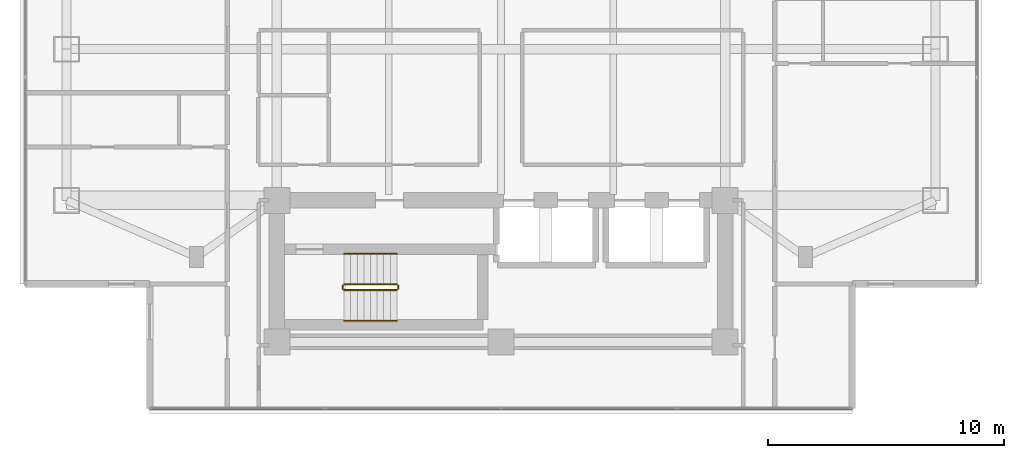
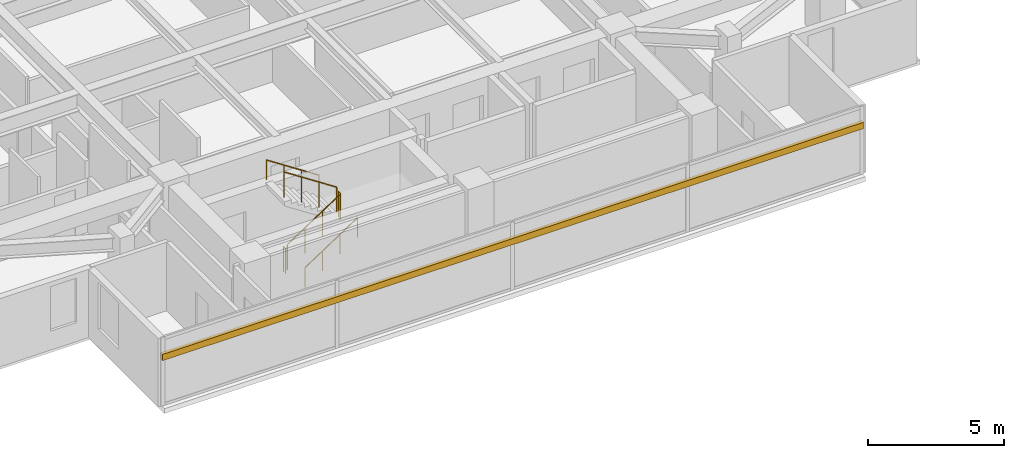
# One storey, part 21 of 26: 6 railings, 1 shading device.
"""IFC4 building model written with IfcOpenShell, lengths in metres."""

import ifcopenshell
import ifcopenshell.guid

model = None  # the IFC model being written
_history = None  # IfcOwnerHistory: only IFC2X3 demands one
_inside = {}  # id of a spatial element -> (the spatial element, [elements in it])
_under = {}  # id of a project, library or spatial element -> (it, [spatial elements below it])
_declared = {}  # id of a project -> (the project, [libraries it declares])
_typed = {}  # id of a type object -> (the type object, [elements of that type])
_made_of = {}  # id of a material, layer set ... -> (it, [elements and type objects made of it])


def new_model(schema):
    """Start an empty IFC model of exactly this schema.

    Asked for "IFC4X3", IfcOpenShell would pick the latest addendum, in which some entities
    have other attributes; the version numbers below select the first issue.
    IFC2X3 requires an IfcOwnerHistory on every rooted entity: one is made here for all.
    """
    global model, _history
    if schema == "IFC4X3":
        model = ifcopenshell.file(schema_version=(4, 3, 0, 0))
    else:
        model = ifcopenshell.file(schema=schema)
    _inside.clear()
    _under.clear()
    _declared.clear()
    _typed.clear()
    _made_of.clear()
    _history = None
    if model.schema == "IFC2X3":
        org = make("IfcOrganization", Name="unknown")
        user = make(
            "IfcPersonAndOrganization",
            ThePerson=make("IfcPerson", FamilyName="unknown"),
            TheOrganization=org,
        )
        app = make(
            "IfcApplication",
            ApplicationDeveloper=org,
            Version="unknown",
            ApplicationFullName="unknown",
            ApplicationIdentifier="unknown",
        )
        _history = make(
            "IfcOwnerHistory",
            OwningUser=user,
            OwningApplication=app,
            ChangeAction="ADDED",
            CreationDate=0,
        )
    return model


def make(cls, **values):
    """One entity of the class cls with the attributes given. An attribute that is None is left unset."""
    return model.create_entity(
        cls, **{name: value for name, value in values.items() if value is not None}
    )


def rooted(cls, **values):
    """An entity with a GlobalId (a new one), such as an element, a storey or a relation."""
    return make(cls, GlobalId=ifcopenshell.guid.new(), OwnerHistory=_history, **values)


def si_unit(unit_type, name, prefix=None):
    """IfcSIUnit, for example si_unit("LENGTHUNIT", "METRE", prefix="MILLI")."""
    return make("IfcSIUnit", UnitType=unit_type, Prefix=prefix, Name=name)


def assignment(units):
    """IfcUnitAssignment: the units of a project."""
    return None if units is None else make("IfcUnitAssignment", Units=units)


def point(xyz):
    """IfcCartesianPoint."""
    return None if xyz is None else make("IfcCartesianPoint", Coordinates=xyz)


def direction(xyz):
    """IfcDirection."""
    return None if xyz is None else make("IfcDirection", DirectionRatios=xyz)


def frame(location, z_axis=None, x_axis=None):
    """IfcAxis2Placement3D, a coordinate frame: its origin and axes. An axis left out is left unset."""
    return make(
        "IfcAxis2Placement3D",
        Location=point(location),
        Axis=direction(z_axis),
        RefDirection=direction(x_axis),
    )


def frame_2d(location, x_axis=None):
    """IfcAxis2Placement2D, a coordinate frame in the plane: its origin and x axis."""
    return make(
        "IfcAxis2Placement2D", Location=point(location), RefDirection=direction(x_axis)
    )


def origin():
    """The frame at (0, 0, 0) with its axes left unset."""
    return frame((0.0, 0.0, 0.0))


def origin_2d():
    """The frame at (0, 0) in the plane with its x axis left unset."""
    return frame_2d((0.0, 0.0))


def place(relative_to, where):
    """IfcLocalPlacement: puts the frame where relative to a parent placement (None: the world)."""
    return make(
        "IfcLocalPlacement", PlacementRelTo=relative_to, RelativePlacement=where
    )


def context(
    kind, dimensions, precision=None, world=None, true_north=None, identifier=None
):
    """IfcGeometricRepresentationContext, for example the 3D "Model" context."""
    return make(
        "IfcGeometricRepresentationContext",
        ContextIdentifier=identifier,
        ContextType=kind,
        CoordinateSpaceDimension=dimensions,
        Precision=precision,
        WorldCoordinateSystem=world,
        TrueNorth=true_north,
    )


def subcontext(parent, identifier, kind, view, scale=None):
    """IfcGeometricRepresentationSubContext, for example "Body" below "Model"."""
    return make(
        "IfcGeometricRepresentationSubContext",
        ContextIdentifier=identifier,
        ContextType=kind,
        ParentContext=parent,
        TargetScale=scale,
        TargetView=view,
    )


def project(units=None, contexts=None):
    """IfcProject with its units and contexts."""
    return rooted(
        "IfcProject",
        Name="project",
        RepresentationContexts=contexts,
        UnitsInContext=assignment(units),
    )


def spatial(cls, under=None, at=None, **own):
    """A site, building, storey or space (cls), placed at a placement, below another one or the project."""
    s = rooted(cls, ObjectPlacement=at, **own)
    if under is not None:
        _under.setdefault(under.id(), (under, []))[1].append(s)
    return s


def profile(cls, at=None, kind="AREA", **sizes):
    """A parametric profile (cls). Its sizes go by their IFC names, for example OverallWidth=200.0."""
    return make(cls, ProfileType=kind, Position=at, **sizes)


def rectangle(**sizes):
    """IfcRectangleProfileDef."""
    return profile("IfcRectangleProfileDef", **sizes)


def circle(**sizes):
    """IfcCircleProfileDef."""
    return profile("IfcCircleProfileDef", **sizes)


def extrude(swept, where, along, depth):
    """IfcExtrudedAreaSolid: the profile swept, set in the frame where, extruded along a direction by depth."""
    return make(
        "IfcExtrudedAreaSolid",
        SweptArea=swept,
        Position=where,
        ExtrudedDirection=direction(along),
        Depth=depth,
    )


def shape(context_of_items, identifier, shape_type, items):
    """IfcShapeRepresentation: the items that make up one representation, for example the "Body"."""
    return make(
        "IfcShapeRepresentation",
        ContextOfItems=context_of_items,
        RepresentationIdentifier=identifier,
        RepresentationType=shape_type,
        Items=items,
    )


def material(Name=None, Category=None):
    """IfcMaterial."""
    return make("IfcMaterial", Name=Name, Category=Category)


def material_profile(
    of_material, cross_section, Name=None, Category=None, Priority=None
):
    """IfcMaterialProfile: a cross section and its material."""
    return make(
        "IfcMaterialProfile",
        Name=Name,
        Material=of_material,
        Profile=cross_section,
        Priority=Priority,
        Category=Category,
    )


def profile_set(profiles, Name=None, composite=None):
    """IfcMaterialProfileSet."""
    return make(
        "IfcMaterialProfileSet",
        Name=Name,
        MaterialProfiles=profiles,
        CompositeProfile=composite,
    )


def made_of(thing, what):
    """Note that an element or type object is made of a material, layer set ...; save() writes the relation."""
    if what is not None:
        _made_of.setdefault(what.id(), (what, []))[1].append(thing)
    return thing


def type_object(cls, material=None, **own):
    """A type object (cls), such as IfcWallType, which elements share."""
    return made_of(rooted(cls, **own), material)


def element(
    cls,
    number,
    at=None,
    inside=None,
    cuts=None,
    type_object=None,
    material=None,
    context=None,
    identifier="Body",
    shape_type=None,
    held_by="IfcProductDefinitionShape",
    body=None,
    shapes=None,
    **own,
):
    """One element of the class cls, such as IfcWall. Its Tag is "e" and its number.

    at: its placement. inside: the storey or other place that contains it. cuts: it is an
    opening in that element (IfcRelVoidsElement). A single representation is given by context,
    identifier, shape_type and body (its items); several are given by shapes. held_by: the class
    of the entity that holds the representations. save() writes the other relations.
    """
    e = rooted(cls, Tag="e%d" % number, ObjectPlacement=at, **own)
    if body is not None:
        shapes = [shape(context, identifier, shape_type, body)]
    if shapes is not None:
        e.Representation = make(held_by, Representations=shapes)
    if inside is not None:
        _inside.setdefault(inside.id(), (inside, []))[1].append(e)
    if cuts is not None:
        rooted(
            "IfcRelVoidsElement", RelatingBuildingElement=cuts, RelatedOpeningElement=e
        )
    if type_object is not None:
        _typed.setdefault(type_object.id(), (type_object, []))[1].append(e)
    return made_of(e, material)


def aggregate(whole, parts):
    """IfcRelAggregates: a whole, such as a stair, and the parts it consists of."""
    return rooted("IfcRelAggregates", RelatingObject=whole, RelatedObjects=parts)


def save(model, path):
    """Write the relations noted so far, then the file.

    IfcRelAggregates (storeys below a building ...), IfcRelContainedInSpatialStructure (elements
    in a storey), IfcRelDefinesByType, IfcRelAssociatesMaterial and IfcRelDeclares: one each for
    every whole, place, type object, material and project.
    """
    for whole, parts in _under.values():
        aggregate(whole, parts)
    for where, things in _inside.values():
        rooted(
            "IfcRelContainedInSpatialStructure",
            RelatedElements=things,
            RelatingStructure=where,
        )
    for kind, things in _typed.values():
        rooted("IfcRelDefinesByType", RelatedObjects=things, RelatingType=kind)
    for what, things in _made_of.values():
        rooted("IfcRelAssociatesMaterial", RelatedObjects=things, RelatingMaterial=what)
    for by, libraries in _declared.values():
        rooted("IfcRelDeclares", RelatingContext=by, RelatedDefinitions=libraries)
    model.write(path)


model = new_model("IFC4")

# Units and contexts
model_context = context("Model", 3, precision=1e-05, world=origin(), true_north=direction((0.0, 1.0)))
body_context = subcontext(model_context, "Body", "Model", "MODEL_VIEW")
ifc_project = project(units=[si_unit("LENGTHUNIT", "METRE"), si_unit("AREAUNIT", "SQUARE_METRE"), si_unit("VOLUMEUNIT", "CUBIC_METRE"), si_unit("PLANEANGLEUNIT", "RADIAN"), si_unit("MASSUNIT", "GRAM", prefix="KILO")], contexts=[model_context])

# Site, building, storey
site_placement = place(None, origin())
site = spatial("IfcSite", under=ifc_project, at=site_placement, CompositionType="ELEMENT")
building_placement = place(site_placement, origin())
building = spatial("IfcBuilding", under=site, at=building_placement, Name="Mirazonda Arch Towers", CompositionType="ELEMENT")
storey_placement = place(building_placement, frame((0.0, 0.0, 121.39990234375)))
storey = spatial("IfcBuildingStorey", under=building, at=storey_placement, Name="L34", CompositionType="ELEMENT", Elevation=121.39990234375)

# Shading device
ifc_material_1 = material(Name="Kiln-Fired Architectural Terracotta", Category="masonry")
ifc_material_profile = material_profile(ifc_material_1, rectangle(XDim=0.139892578125, YDim=0.280029296875, at=origin_2d()), Name="TERRA-BAG-140x280")
ifc_profile_set = profile_set([ifc_material_profile], Name="Kiln-Fired Architectural Terracotta")
shading_device_type = type_object("IfcShadingDeviceType", Name="BAGUETTE-3", PredefinedType="USERDEFINED", material=ifc_profile_set)
shading_device_placement = place(storey_placement, frame((35.389892578125, 9.58203125, 2.203369140625), z_axis=(-1.0, 0.0, 0.0), x_axis=(0.0, -1.0, 0.0)))
element("IfcShadingDevice", 1, at=shading_device_placement, inside=storey, type_object=shading_device_type, Name="L34 Glazed Terracotta Sun-Screen Baguette CW-L34-T1-S", ObjectType="BAGUETTE", PredefinedType="USERDEFINED", context=body_context, shape_type="SweptSolid", body=[
    extrude(rectangle(XDim=0.139892578125, YDim=0.280029296875, at=origin_2d()), origin(), (0.0, 0.0, 1.0), 29.77978515625),
])

# Railings
ifc_material_2 = material(Name="Architectural Brushed Steel S355", Category="steel")
railing_type_1 = type_object("IfcRailingType", Name="GUARD-STAIR-1120", PredefinedType="GUARDRAIL", material=ifc_material_2)
railing_1_placement = place(storey_placement, frame((13.85009765625, 14.60009765625, 0.183349609375)))
element("IfcRailing", 2, at=railing_1_placement, inside=storey, type_object=railing_type_1, Name="L34 ST-T1S stair guard 1", PredefinedType="GUARDRAIL", context=body_context, shape_type="SweptSolid", body=[
    extrude(circle(Radius=0.02392578125, at=origin_2d()), frame((0.0, 0.0, 1.1259765625), z_axis=(0.836595146698, 0.0, 0.547821650285), x_axis=(0.0, 1.0, 0.0)), (0.0, 0.0, 1.0), 2.677490234375),
    extrude(circle(Radius=0.02099609375, at=origin_2d()), origin(), (0.0, 0.0, 1.0), 1.101806640625),
    extrude(circle(Radius=0.02099609375, at=origin_2d()), frame((0.74658203125, 0.0, 0.489013671875)), (0.0, 0.0, 1.0), 1.101806640625),
    extrude(circle(Radius=0.02099609375, at=origin_2d()), frame((1.493408203125, 0.0, 0.977783203125)), (0.0, 0.0, 1.0), 1.101806640625),
    extrude(circle(Radius=0.02099609375, at=origin_2d()), frame((2.239990234375, 0.0, 1.466796875)), (0.0, 0.0, 1.0), 1.101806640625),
])
railing_2_placement = place(storey_placement, frame((16.139892578125, 14.64990234375, 1.650146484375)))
element("IfcRailing", 3, at=railing_2_placement, inside=storey, type_object=railing_type_1, Name="L34 ST-T1S stair guard 2", PredefinedType="GUARDRAIL", context=body_context, shape_type="SweptSolid", body=[
    extrude(circle(Radius=0.02392578125, at=origin_2d()), frame((0.0, 0.0, 1.1259765625), z_axis=(0.0, 1.0, 0.0), x_axis=(-1.0, 0.0, 0.0)), (0.0, 0.0, 1.0), 0.14013671875),
    extrude(circle(Radius=0.02099609375, at=origin_2d()), origin(), (0.0, 0.0, 1.0), 1.101806640625),
    extrude(circle(Radius=0.02099609375, at=origin_2d()), frame((0.0, 0.14013671875, 0.0)), (0.0, 0.0, 1.0), 1.101806640625),
])
railing_3_placement = place(storey_placement, frame((16.090087890625, 14.840087890625, 1.83349609375)))
element("IfcRailing", 4, at=railing_3_placement, inside=storey, type_object=railing_type_1, Name="L34 ST-T1S stair guard 3", PredefinedType="GUARDRAIL", context=body_context, shape_type="SweptSolid", body=[
    extrude(circle(Radius=0.02392578125, at=origin_2d()), frame((0.0, 0.0, 1.1259765625), z_axis=(-0.836636935527, 0.0, 0.547757827979), x_axis=(0.0, -1.0, 0.0)), (0.0, 0.0, 1.0), 2.677490234375),
    extrude(circle(Radius=0.02099609375, at=origin_2d()), origin(), (0.0, 0.0, 1.0), 1.101806640625),
    extrude(circle(Radius=0.02099609375, at=origin_2d()), frame((-0.74658203125, 0.0, 0.48876953125)), (0.0, 0.0, 1.0), 1.101806640625),
    extrude(circle(Radius=0.02099609375, at=origin_2d()), frame((-1.493408203125, 0.0, 0.977783203125)), (0.0, 0.0, 1.0), 1.101806640625),
    extrude(circle(Radius=0.02099609375, at=origin_2d()), frame((-2.239990234375, 0.0, 1.466552734375)), (0.0, 0.0, 1.0), 1.101806640625),
])
railing_4_placement = place(storey_placement, frame((13.800048828125, 14.64990234375, 0.0)))
element("IfcRailing", 5, at=railing_4_placement, inside=storey, type_object=railing_type_1, Name="L34 ST-T1S stair guard 4", PredefinedType="GUARDRAIL", context=body_context, shape_type="SweptSolid", body=[
    extrude(circle(Radius=0.02392578125, at=origin_2d()), frame((0.0, 0.0, 1.1259765625), z_axis=(0.0, 1.0, 0.0), x_axis=(-1.0, 0.0, 0.0)), (0.0, 0.0, 1.0), 0.14013671875),
    extrude(circle(Radius=0.02099609375, at=origin_2d()), origin(), (0.0, 0.0, 1.0), 1.101806640625),
    extrude(circle(Radius=0.02099609375, at=origin_2d()), frame((0.0, 0.14013671875, 0.0)), (0.0, 0.0, 1.0), 1.101806640625),
])
railing_type_2 = type_object("IfcRailingType", Name="HANDRAIL-915", PredefinedType="HANDRAIL", material=ifc_material_2)
railing_5_placement = place(storey_placement, frame((13.85009765625, 13.300048828125, 0.183349609375)))
element("IfcRailing", 6, at=railing_5_placement, inside=storey, type_object=railing_type_2, Name="L34 ST-T1S stair handrail 1", PredefinedType="HANDRAIL", context=body_context, shape_type="SweptSolid", body=[
    extrude(circle(Radius=0.02392578125, at=origin_2d()), frame((0.0, 0.0, 0.8759765625), z_axis=(0.836595146698, 0.0, 0.547821650285), x_axis=(0.0, 1.0, 0.0)), (0.0, 0.0, 1.0), 2.677490234375),
    extrude(circle(Radius=0.02099609375, at=origin_2d()), origin(), (0.0, 0.0, 1.0), 0.851806640625),
    extrude(circle(Radius=0.02099609375, at=origin_2d()), frame((0.74658203125, 0.0, 0.489013671875)), (0.0, 0.0, 1.0), 0.851806640625),
    extrude(circle(Radius=0.02099609375, at=origin_2d()), frame((1.493408203125, 0.0, 0.977783203125)), (0.0, 0.0, 1.0), 0.851806640625),
    extrude(circle(Radius=0.02099609375, at=origin_2d()), frame((2.239990234375, 0.0, 1.466796875)), (0.0, 0.0, 1.0), 0.851806640625),
])
railing_6_placement = place(storey_placement, frame((16.090087890625, 16.139892578125, 1.83349609375)))
element("IfcRailing", 7, at=railing_6_placement, inside=storey, type_object=railing_type_2, Name="L34 ST-T1S stair handrail 2", PredefinedType="HANDRAIL", context=body_context, shape_type="SweptSolid", body=[
    extrude(circle(Radius=0.02392578125, at=origin_2d()), frame((0.0, 0.0, 0.8759765625), z_axis=(-0.836636935527, 0.0, 0.547757827979), x_axis=(0.0, -1.0, 0.0)), (0.0, 0.0, 1.0), 2.677490234375),
    extrude(circle(Radius=0.02099609375, at=origin_2d()), origin(), (0.0, 0.0, 1.0), 0.851806640625),
    extrude(circle(Radius=0.02099609375, at=origin_2d()), frame((-0.74658203125, 0.0, 0.48876953125)), (0.0, 0.0, 1.0), 0.851806640625),
    extrude(circle(Radius=0.02099609375, at=origin_2d()), frame((-1.493408203125, 0.0, 0.977783203125)), (0.0, 0.0, 1.0), 0.851806640625),
    extrude(circle(Radius=0.02099609375, at=origin_2d()), frame((-2.239990234375, 0.0, 1.466552734375)), (0.0, 0.0, 1.0), 0.851806640625),
])

save(model, "model.ifc")
